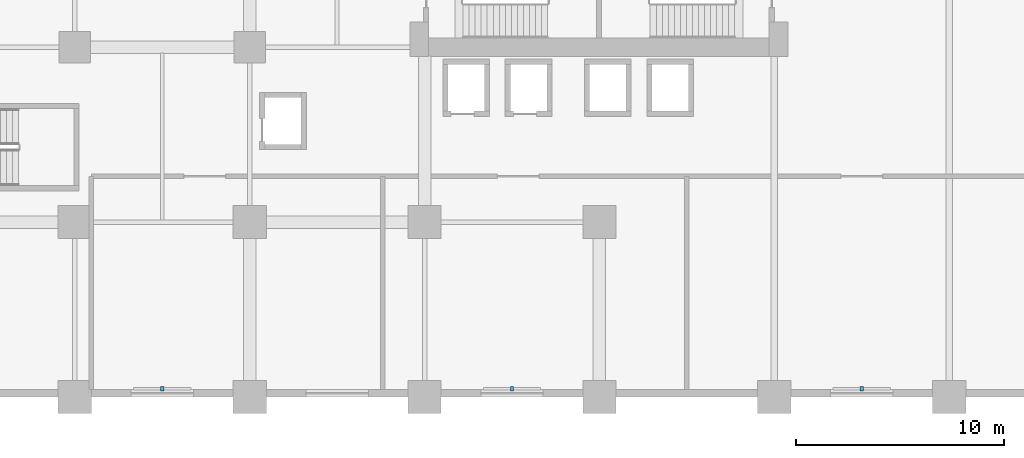
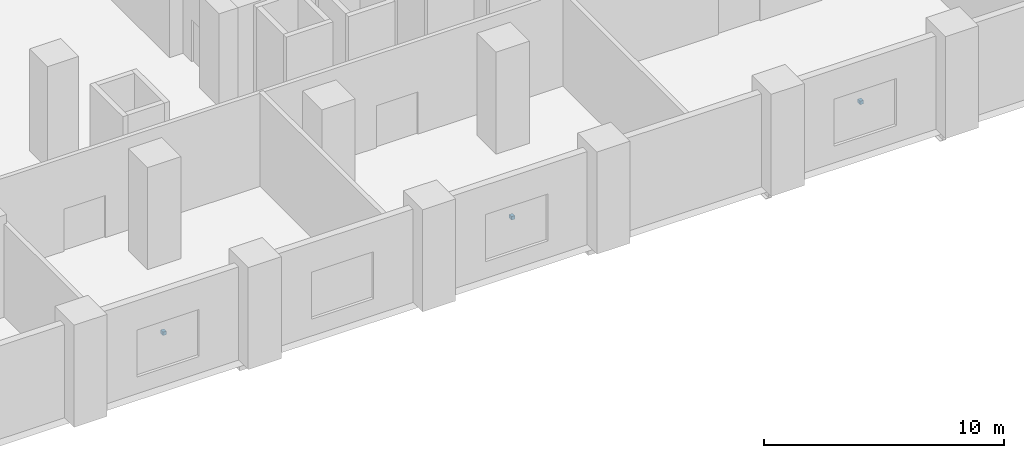
# One storey, part 16 of 23: 3 discrete accessories.
"""IFC4 building model written with IfcOpenShell, lengths in metres."""

import ifcopenshell
import ifcopenshell.guid

model = None  # the IFC model being written
_history = None  # IfcOwnerHistory: only IFC2X3 demands one
_inside = {}  # id of a spatial element -> (the spatial element, [elements in it])
_under = {}  # id of a project, library or spatial element -> (it, [spatial elements below it])
_declared = {}  # id of a project -> (the project, [libraries it declares])
_typed = {}  # id of a type object -> (the type object, [elements of that type])
_made_of = {}  # id of a material, layer set ... -> (it, [elements and type objects made of it])


def new_model(schema):
    """Start an empty IFC model of exactly this schema.

    Asked for "IFC4X3", IfcOpenShell would pick the latest addendum, in which some entities
    have other attributes; the version numbers below select the first issue.
    IFC2X3 requires an IfcOwnerHistory on every rooted entity: one is made here for all.
    """
    global model, _history
    if schema == "IFC4X3":
        model = ifcopenshell.file(schema_version=(4, 3, 0, 0))
    else:
        model = ifcopenshell.file(schema=schema)
    _inside.clear()
    _under.clear()
    _declared.clear()
    _typed.clear()
    _made_of.clear()
    _history = None
    if model.schema == "IFC2X3":
        org = make("IfcOrganization", Name="unknown")
        user = make(
            "IfcPersonAndOrganization",
            ThePerson=make("IfcPerson", FamilyName="unknown"),
            TheOrganization=org,
        )
        app = make(
            "IfcApplication",
            ApplicationDeveloper=org,
            Version="unknown",
            ApplicationFullName="unknown",
            ApplicationIdentifier="unknown",
        )
        _history = make(
            "IfcOwnerHistory",
            OwningUser=user,
            OwningApplication=app,
            ChangeAction="ADDED",
            CreationDate=0,
        )
    return model


def make(cls, **values):
    """One entity of the class cls with the attributes given. An attribute that is None is left unset."""
    return model.create_entity(
        cls, **{name: value for name, value in values.items() if value is not None}
    )


def rooted(cls, **values):
    """An entity with a GlobalId (a new one), such as an element, a storey or a relation."""
    return make(cls, GlobalId=ifcopenshell.guid.new(), OwnerHistory=_history, **values)


def si_unit(unit_type, name, prefix=None):
    """IfcSIUnit, for example si_unit("LENGTHUNIT", "METRE", prefix="MILLI")."""
    return make("IfcSIUnit", UnitType=unit_type, Prefix=prefix, Name=name)


def assignment(units):
    """IfcUnitAssignment: the units of a project."""
    return None if units is None else make("IfcUnitAssignment", Units=units)


def point(xyz):
    """IfcCartesianPoint."""
    return None if xyz is None else make("IfcCartesianPoint", Coordinates=xyz)


def direction(xyz):
    """IfcDirection."""
    return None if xyz is None else make("IfcDirection", DirectionRatios=xyz)


def frame(location, z_axis=None, x_axis=None):
    """IfcAxis2Placement3D, a coordinate frame: its origin and axes. An axis left out is left unset."""
    return make(
        "IfcAxis2Placement3D",
        Location=point(location),
        Axis=direction(z_axis),
        RefDirection=direction(x_axis),
    )


def frame_2d(location, x_axis=None):
    """IfcAxis2Placement2D, a coordinate frame in the plane: its origin and x axis."""
    return make(
        "IfcAxis2Placement2D", Location=point(location), RefDirection=direction(x_axis)
    )


def origin():
    """The frame at (0, 0, 0) with its axes left unset."""
    return frame((0.0, 0.0, 0.0))


def origin_2d():
    """The frame at (0, 0) in the plane with its x axis left unset."""
    return frame_2d((0.0, 0.0))


def place(relative_to, where):
    """IfcLocalPlacement: puts the frame where relative to a parent placement (None: the world)."""
    return make(
        "IfcLocalPlacement", PlacementRelTo=relative_to, RelativePlacement=where
    )


def context(
    kind, dimensions, precision=None, world=None, true_north=None, identifier=None
):
    """IfcGeometricRepresentationContext, for example the 3D "Model" context."""
    return make(
        "IfcGeometricRepresentationContext",
        ContextIdentifier=identifier,
        ContextType=kind,
        CoordinateSpaceDimension=dimensions,
        Precision=precision,
        WorldCoordinateSystem=world,
        TrueNorth=true_north,
    )


def subcontext(parent, identifier, kind, view, scale=None):
    """IfcGeometricRepresentationSubContext, for example "Body" below "Model"."""
    return make(
        "IfcGeometricRepresentationSubContext",
        ContextIdentifier=identifier,
        ContextType=kind,
        ParentContext=parent,
        TargetScale=scale,
        TargetView=view,
    )


def project(units=None, contexts=None):
    """IfcProject with its units and contexts."""
    return rooted(
        "IfcProject",
        Name="project",
        RepresentationContexts=contexts,
        UnitsInContext=assignment(units),
    )


def spatial(cls, under=None, at=None, **own):
    """A site, building, storey or space (cls), placed at a placement, below another one or the project."""
    s = rooted(cls, ObjectPlacement=at, **own)
    if under is not None:
        _under.setdefault(under.id(), (under, []))[1].append(s)
    return s


def profile(cls, at=None, kind="AREA", **sizes):
    """A parametric profile (cls). Its sizes go by their IFC names, for example OverallWidth=200.0."""
    return make(cls, ProfileType=kind, Position=at, **sizes)


def rectangle(**sizes):
    """IfcRectangleProfileDef."""
    return profile("IfcRectangleProfileDef", **sizes)


def extrude(swept, where, along, depth):
    """IfcExtrudedAreaSolid: the profile swept, set in the frame where, extruded along a direction by depth."""
    return make(
        "IfcExtrudedAreaSolid",
        SweptArea=swept,
        Position=where,
        ExtrudedDirection=direction(along),
        Depth=depth,
    )


def shape(context_of_items, identifier, shape_type, items):
    """IfcShapeRepresentation: the items that make up one representation, for example the "Body"."""
    return make(
        "IfcShapeRepresentation",
        ContextOfItems=context_of_items,
        RepresentationIdentifier=identifier,
        RepresentationType=shape_type,
        Items=items,
    )


def material(Name=None, Category=None):
    """IfcMaterial."""
    return make("IfcMaterial", Name=Name, Category=Category)


def made_of(thing, what):
    """Note that an element or type object is made of a material, layer set ...; save() writes the relation."""
    if what is not None:
        _made_of.setdefault(what.id(), (what, []))[1].append(thing)
    return thing


def type_object(cls, material=None, **own):
    """A type object (cls), such as IfcWallType, which elements share."""
    return made_of(rooted(cls, **own), material)


def element(
    cls,
    number,
    at=None,
    inside=None,
    cuts=None,
    type_object=None,
    material=None,
    context=None,
    identifier="Body",
    shape_type=None,
    held_by="IfcProductDefinitionShape",
    body=None,
    shapes=None,
    **own,
):
    """One element of the class cls, such as IfcWall. Its Tag is "e" and its number.

    at: its placement. inside: the storey or other place that contains it. cuts: it is an
    opening in that element (IfcRelVoidsElement). A single representation is given by context,
    identifier, shape_type and body (its items); several are given by shapes. held_by: the class
    of the entity that holds the representations. save() writes the other relations.
    """
    e = rooted(cls, Tag="e%d" % number, ObjectPlacement=at, **own)
    if body is not None:
        shapes = [shape(context, identifier, shape_type, body)]
    if shapes is not None:
        e.Representation = make(held_by, Representations=shapes)
    if inside is not None:
        _inside.setdefault(inside.id(), (inside, []))[1].append(e)
    if cuts is not None:
        rooted(
            "IfcRelVoidsElement", RelatingBuildingElement=cuts, RelatedOpeningElement=e
        )
    if type_object is not None:
        _typed.setdefault(type_object.id(), (type_object, []))[1].append(e)
    return made_of(e, material)


def aggregate(whole, parts):
    """IfcRelAggregates: a whole, such as a stair, and the parts it consists of."""
    return rooted("IfcRelAggregates", RelatingObject=whole, RelatedObjects=parts)


def save(model, path):
    """Write the relations noted so far, then the file.

    IfcRelAggregates (storeys below a building ...), IfcRelContainedInSpatialStructure (elements
    in a storey), IfcRelDefinesByType, IfcRelAssociatesMaterial and IfcRelDeclares: one each for
    every whole, place, type object, material and project.
    """
    for whole, parts in _under.values():
        aggregate(whole, parts)
    for where, things in _inside.values():
        rooted(
            "IfcRelContainedInSpatialStructure",
            RelatedElements=things,
            RelatingStructure=where,
        )
    for kind, things in _typed.values():
        rooted("IfcRelDefinesByType", RelatedObjects=things, RelatingType=kind)
    for what, things in _made_of.values():
        rooted("IfcRelAssociatesMaterial", RelatedObjects=things, RelatingMaterial=what)
    for by, libraries in _declared.values():
        rooted("IfcRelDeclares", RelatingContext=by, RelatedDefinitions=libraries)
    model.write(path)


model = new_model("IFC4")

# Units and contexts
model_context = context("Model", 3, precision=1e-05, world=origin(), true_north=direction((0.0, 1.0)))
body_context = subcontext(model_context, "Body", "Model", "MODEL_VIEW")
ifc_project = project(units=[si_unit("LENGTHUNIT", "METRE"), si_unit("AREAUNIT", "SQUARE_METRE"), si_unit("VOLUMEUNIT", "CUBIC_METRE"), si_unit("PLANEANGLEUNIT", "RADIAN"), si_unit("MASSUNIT", "GRAM", prefix="KILO")], contexts=[model_context])

# Site, building, storey
site_placement = place(None, origin())
site = spatial("IfcSite", under=ifc_project, at=site_placement, CompositionType="ELEMENT")
building_placement = place(site_placement, origin())
building = spatial("IfcBuilding", under=site, at=building_placement, Name="Koriwani Terraces Tower", CompositionType="ELEMENT")
storey_placement = place(building_placement, frame((0.0, 0.0, 20.800048828125)))
storey = spatial("IfcBuildingStorey", under=building, at=storey_placement, Name="L04", CompositionType="ELEMENT", Elevation=20.800048828125)

# Discrete accessories
ifc_material = material(Name="Steel ASTM A572 Grade 50", Category="steel")
discrete_accessory_type = type_object("IfcDiscreteAccessoryType", Name="BAGUETTE_STANDOFF_BRACKET", PredefinedType="BRACKET", material=ifc_material)
for number, where, z_axis, x_axis, name in (
    (1, (29.39990234375, 0.389892578125, 2.28515625), (0.0, 0.0, 1.0), (-1.0, 0.0, 0.0), "L04 Terracotta Baguette Bracket (S-9)"),
    (2, (46.199951171875, 0.389892578125, 2.28515625), (0.0, 0.0, 1.0), (-1.0, 0.0, 0.0), "L04 Terracotta Baguette Bracket (S-15)"),
    (3, (63.0, 0.389892578125, 2.28515625), (0.0, 0.0, 1.0), (-1.0, 0.0, 0.0), "L04 Terracotta Baguette Bracket (S-21)"),
):
    element("IfcDiscreteAccessory", number, at=place(storey_placement, frame(where, z_axis=z_axis, x_axis=x_axis)), inside=storey, type_object=discrete_accessory_type, Name=name, PredefinedType="BRACKET", context=body_context, shape_type="SweptSolid", body=[
        extrude(rectangle(XDim=0.159912109375, YDim=0.199951171875, at=origin_2d()), origin(), (0.0, 0.0, 1.0), 0.179931640625),
    ])

save(model, "model.ifc")
